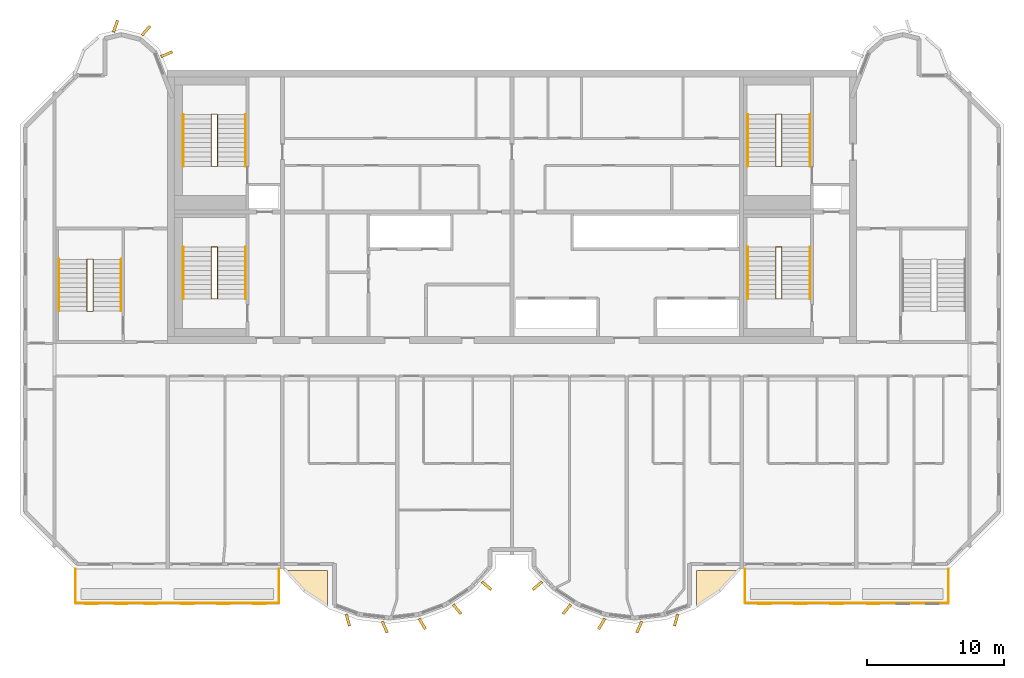
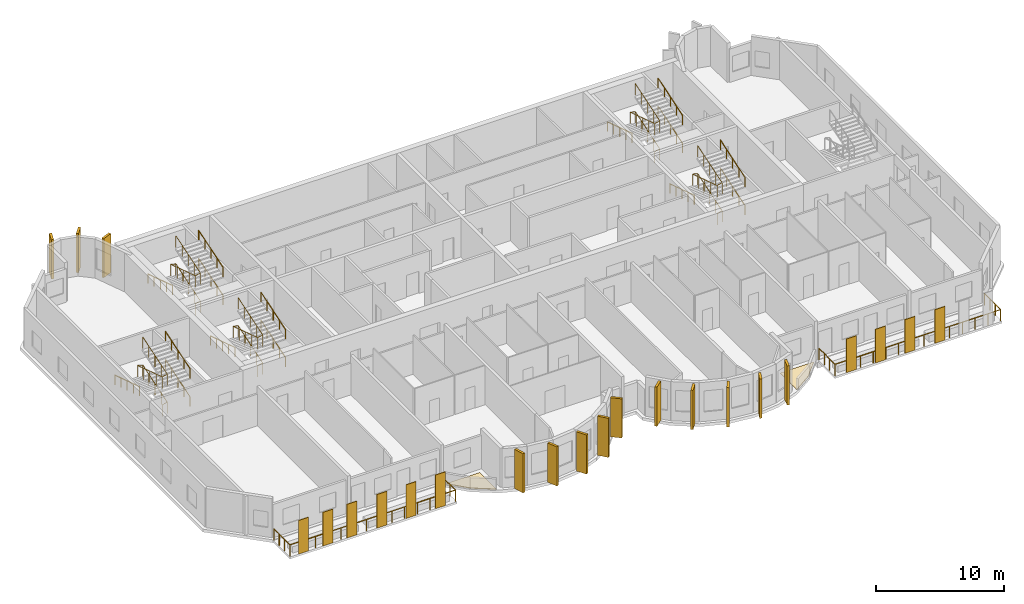
# One storey, part 10 of 12: 25 coverings, 22 railings.
"""IFC4 building model written with IfcOpenShell, lengths in metres."""

from ifc_helpers import new_model, si_unit, direction, frame, origin, origin_2d, place, context, subcontext, project, spatial, polyline, rectangle, circle, outline, extrude, source, transform, mapped, material, layer, layer_set, material_profile, profile_set, type_object, element, save


model = new_model("IFC4")

# Units and contexts
model_context = context("Model", 3, precision=1e-05, world=origin(), true_north=direction((0.0, 1.0)))
body_context = subcontext(model_context, "Body", "Model", "MODEL_VIEW")
ifc_project = project(units=[si_unit("LENGTHUNIT", "METRE"), si_unit("AREAUNIT", "SQUARE_METRE"), si_unit("VOLUMEUNIT", "CUBIC_METRE"), si_unit("PLANEANGLEUNIT", "RADIAN"), si_unit("MASSUNIT", "GRAM", prefix="KILO")], contexts=[model_context])

# Site, building, storey
site_placement = place(None, origin())
site = spatial("IfcSite", under=ifc_project, at=site_placement, CompositionType="ELEMENT")
building_placement = place(site_placement, origin())
building = spatial("IfcBuilding", under=site, at=building_placement, Name="Vanashikhar Sky Hotel", CompositionType="ELEMENT")
storey_placement = place(building_placement, frame((0.0, 0.0, 313.699951171875)))
storey = spatial("IfcBuildingStorey", under=building, at=storey_placement, Name="L75", CompositionType="ELEMENT", Elevation=313.699951171875)

# Coverings
ifc_material_1 = material(Name="Terracotta", Category="masonry")
ifc_layer_1 = layer(ifc_material_1, 0.06005859375)
ifc_layer_set_1 = layer_set([ifc_layer_1], Name="Terracotta baguette screen")
covering_type_1 = type_object("IfcCoveringType", Name="Terracotta baguette screen", PredefinedType="CLADDING", material=ifc_layer_set_1)
shared_shape_1 = source(origin(), body_context, "Body", "SweptSolid", [
    extrude(rectangle(XDim=0.89990234375, YDim=0.06005859375, at=origin_2d()), origin(), (0.0, 0.0, 1.0), 3.199951171875),
])
for number, where, z_axis, x_axis, name in (
    (1, (19.63330078125, 2.929931640625, -0.0498046875), (0.0, 0.0, 1.0), (1.0, 0.0, 0.0), "Terracotta screen"),
    (2, (21.800048828125, 2.929931640625, -0.0498046875), (0.0, 0.0, 1.0), (1.0, 0.0, 0.0), "Terracotta screen"),
    (3, (23.966796875, 2.929931640625, -0.0498046875), (0.0, 0.0, 1.0), (1.0, 0.0, 0.0), "Terracotta screen"),
    (4, (26.666748046875, 2.929931640625, -0.0498046875), (0.0, 0.0, 1.0), (1.0, 0.0, 0.0), "Terracotta screen"),
    (5, (29.300048828125, 2.929931640625, -0.0498046875), (0.0, 0.0, 1.0), (1.0, 0.0, 0.0), "Terracotta screen"),
    (6, (31.933349609375, 2.929931640625, -0.0498046875), (0.0, 0.0, 1.0), (1.0, 0.0, 0.0), "Terracotta screen"),
    (7, (68.86669921875, 2.929931640625, -0.0498046875), (0.0, 0.0, 1.0), (1.0, 0.0, 0.0), "Terracotta screen"),
    (8, (71.5, 2.929931640625, -0.0498046875), (0.0, 0.0, 1.0), (1.0, 0.0, 0.0), "Terracotta screen"),
    (9, (74.13330078125, 2.929931640625, -0.0498046875), (0.0, 0.0, 1.0), (1.0, 0.0, 0.0), "Terracotta screen"),
    (10, (76.833251953125, 2.929931640625, -0.0498046875), (0.0, 0.0, 1.0), (1.0, 0.0, 0.0), "Terracotta screen"),
):
    element("IfcCovering", number, at=place(storey_placement, frame(where, z_axis=z_axis, x_axis=x_axis)), inside=storey, type_object=covering_type_1, Name=name, PredefinedType="CLADDING", context=body_context, shape_type="MappedRepresentation", body=[
        mapped(shared_shape_1, transform((0.0, 0.0, 0.0), scale=1.0)),
    ])

# Railings
ifc_material_2 = material(Name="Stainless steel 316", Category="steel")
railing_type_1 = type_object("IfcRailingType", Name="Balcony guard 1100", PredefinedType="GUARDRAIL", material=ifc_material_2)
shared_shape_2 = source(origin(), body_context, "Body", "SweptSolid", [
    extrude(circle(Radius=0.02392578125, at=origin_2d()), frame((0.0, 0.0, 1.076171875), z_axis=(0.0, -1.0, 0.0), x_axis=(1.0, 0.0, 0.0)), (0.0, 0.0, 1.0), 2.5),
    extrude(circle(Radius=0.02392578125, at=origin_2d()), frame((0.0, -2.5, 1.076171875), z_axis=(1.0, 0.0, 0.0), x_axis=(0.0, 1.0, 0.0)), (0.0, 0.0, 1.0), 14.880126953125),
    extrude(circle(Radius=0.02392578125, at=origin_2d()), frame((14.880126953125, -2.5, 1.076171875), z_axis=(0.0, 1.0, 0.0), x_axis=(-1.0, 0.0, 0.0)), (0.0, 0.0, 1.0), 2.5),
    extrude(circle(Radius=0.02099609375, at=origin_2d()), origin(), (0.0, 0.0, 1.0), 1.052001953125),
    extrude(circle(Radius=0.02099609375, at=origin_2d()), frame((0.0, -0.833251953125, 0.0)), (0.0, 0.0, 1.0), 1.052001953125),
    extrude(circle(Radius=0.02099609375, at=origin_2d()), frame((0.0, -1.666748046875, 0.0)), (0.0, 0.0, 1.0), 1.052001953125),
    extrude(circle(Radius=0.02099609375, at=origin_2d()), frame((0.0, -2.5, 0.0)), (0.0, 0.0, 1.0), 1.052001953125),
    extrude(circle(Radius=0.02099609375, at=origin_2d()), frame((1.14453125, -2.5, 0.0)), (0.0, 0.0, 1.0), 1.052001953125),
    extrude(circle(Radius=0.02099609375, at=origin_2d()), frame((2.289306640625, -2.5, 0.0)), (0.0, 0.0, 1.0), 1.052001953125),
    extrude(circle(Radius=0.02099609375, at=origin_2d()), frame((3.433837890625, -2.5, 0.0)), (0.0, 0.0, 1.0), 1.052001953125),
    extrude(circle(Radius=0.02099609375, at=origin_2d()), frame((4.57861328125, -2.5, 0.0)), (0.0, 0.0, 1.0), 1.052001953125),
    extrude(circle(Radius=0.02099609375, at=origin_2d()), frame((5.72314453125, -2.5, 0.0)), (0.0, 0.0, 1.0), 1.052001953125),
    extrude(circle(Radius=0.02099609375, at=origin_2d()), frame((6.86767578125, -2.5, 0.0)), (0.0, 0.0, 1.0), 1.052001953125),
    extrude(circle(Radius=0.02099609375, at=origin_2d()), frame((8.012451171875, -2.5, 0.0)), (0.0, 0.0, 1.0), 1.052001953125),
    extrude(circle(Radius=0.02099609375, at=origin_2d()), frame((9.156982421875, -2.5, 0.0)), (0.0, 0.0, 1.0), 1.052001953125),
    extrude(circle(Radius=0.02099609375, at=origin_2d()), frame((10.301513671875, -2.5, 0.0)), (0.0, 0.0, 1.0), 1.052001953125),
    extrude(circle(Radius=0.02099609375, at=origin_2d()), frame((11.4462890625, -2.5, 0.0)), (0.0, 0.0, 1.0), 1.052001953125),
    extrude(circle(Radius=0.02099609375, at=origin_2d()), frame((12.5908203125, -2.5, 0.0)), (0.0, 0.0, 1.0), 1.052001953125),
    extrude(circle(Radius=0.02099609375, at=origin_2d()), frame((13.735595703125, -2.5, 0.0)), (0.0, 0.0, 1.0), 1.052001953125),
    extrude(circle(Radius=0.02099609375, at=origin_2d()), frame((14.880126953125, -2.5, 0.0)), (0.0, 0.0, 1.0), 1.052001953125),
    extrude(circle(Radius=0.02099609375, at=origin_2d()), frame((14.880126953125, -1.666748046875, 0.0)), (0.0, 0.0, 1.0), 1.052001953125),
    extrude(circle(Radius=0.02099609375, at=origin_2d()), frame((14.880126953125, -0.833251953125, 0.0)), (0.0, 0.0, 1.0), 1.052001953125),
    extrude(circle(Radius=0.02099609375, at=origin_2d()), frame((14.880126953125, 0.0, 0.0)), (0.0, 0.0, 1.0), 1.052001953125),
])
for number, where, name in (
    (11, (18.4599609375, 5.5, -0.050048828125), "Balcony guard"),
    (12, (67.4599609375, 5.5, -0.050048828125), "Balcony guard"),
):
    element("IfcRailing", number, at=place(storey_placement, frame(where)), inside=storey, type_object=railing_type_1, Name=name, PredefinedType="GUARDRAIL", context=body_context, shape_type="MappedRepresentation", body=[
        mapped(shared_shape_2, transform((0.0, 0.0, 0.0), scale=1.0)),
    ])

# Coverings
ifc_material_3 = material(Name="Concrete M60 dark", Category="concrete")
ifc_material_profile = material_profile(ifc_material_3, rectangle(XDim=0.89990234375, YDim=0.199951171875, at=origin_2d()))
ifc_profile_set = profile_set([ifc_material_profile], Name="Crown fin 900 x 200")
covering_type_2 = type_object("IfcCoveringType", Name="Crown fin 900 x 200", PredefinedType="CLADDING", material=ifc_profile_set)
shared_shape_3 = source(origin(), body_context, "Body", "SweptSolid", [
    extrude(rectangle(XDim=0.89990234375, YDim=0.199951171875, at=origin_2d()), origin(), (0.0, 0.0, 1.0), 3.719970703125),
])
for number, where, z_axis, x_axis, name in (
    (13, (38.390380859375, 1.74755859375, 0.0), (0.0, 0.0, 1.0), (0.275603801286, -0.961271316911, 0.0), "Fin F1-1"),
    (14, (41.089599609375, 1.2333984375, 0.0), (0.0, 0.0, 1.0), (0.40186786849, -0.915697666414, 0.0), "Fin F1-2"),
    (15, (43.836181640625, 1.46923828125, 0.0), (0.0, 0.0, 1.0), (0.520696754146, -0.853741699943, 0.0), "Fin F1-3"),
    (16, (46.3828125, 2.541015625, 0.0), (0.0, 0.0, 1.0), (0.636737889677, -0.771080319973, 0.0), "Fin F1-4"),
    (17, (48.544189453125, 4.265625, 0.0), (0.0, 0.0, 1.0), (0.755247494577, -0.655439716477, 0.0), "Fin F1-5"),
    (18, (52.255615234375, 4.265625, 0.0), (0.0, 0.0, 1.0), (-0.755247494577, -0.655439716477, 0.0), "Fin F2-1"),
    (19, (54.4169921875, 2.5419921875, 0.0), (0.0, 0.0, 1.0), (-0.636805176704, -0.771024751174, 0.0), "Fin F2-2"),
    (20, (56.962890625, 1.46923828125, 0.0), (0.0, 0.0, 1.0), (-0.52071165467, -0.853732611941, 0.0), "Fin F2-3"),
    (21, (59.710205078125, 1.2333984375, 0.0), (0.0, 0.0, 1.0), (-0.401947776656, -0.91566259334, 0.0), "Fin F2-4"),
    (22, (62.409423828125, 1.74755859375, 0.0), (0.0, 0.0, 1.0), (-0.275603801286, -0.961271316911, 0.0), "Fin F2-5"),
    (23, (21.389404296875, 45.199462890625, 0.0), (0.0, 0.0, 1.0), (0.338425893748, 0.940993046967, 0.0), "Fin R1-1"),
    (24, (23.6171875, 44.87451171875, 0.0), (0.0, 0.0, 1.0), (0.655083741717, 0.755556279398, 0.0), "Fin R1-2"),
    (25, (25.1328125, 43.1533203125, 0.0), (0.0, 0.0, 1.0), (0.92220097167, 0.386710961637, 0.0), "Fin R1-3"),
):
    element("IfcCovering", number, at=place(storey_placement, frame(where, z_axis=z_axis, x_axis=x_axis)), inside=storey, type_object=covering_type_2, Name=name, PredefinedType="CLADDING", context=body_context, shape_type="MappedRepresentation", body=[
        mapped(shared_shape_3, transform((0.0, 0.0, 0.0), scale=1.0)),
    ])
ifc_material_4 = material(Name="Terracotta roofing tile", Category="masonry")
ifc_layer_2 = layer(ifc_material_4, 0.06005859375)
ifc_layer_set_2 = layer_set([ifc_layer_2], Name="Roof membrane and tile 60")
covering_type_3 = type_object("IfcCoveringType", Name="Roof membrane and tile 60", PredefinedType="ROOFING", material=ifc_layer_set_2)
shared_shape_4 = source(origin(), body_context, "Body", "SweptSolid", [
    extrude(outline(polyline([(36.89501953125, 2.787353515625), (35.212890625, 3.919677734375), (33.877685546875, 5.3779296875), (36.89501953125, 5.3779296875), (36.89501953125, 2.787353515625)])), origin(), (0.0, 0.0, 1.0), 0.06005859375),
])
covering_1_placement = place(storey_placement, frame((0.0, 0.0, -0.050048828125)))
element("IfcCovering", 26, at=covering_1_placement, inside=storey, type_object=covering_type_3, Name="Roof covering", PredefinedType="ROOFING", context=body_context, shape_type="MappedRepresentation", body=[
    mapped(shared_shape_4, transform((0.0, 0.0, 0.0), scale=1.0)),
])
shared_shape_5 = source(origin(), body_context, "Body", "SweptSolid", [
    extrude(outline(polyline([(66.92236328125, 5.3779296875), (65.587158203125, 3.919677734375), (63.905029296875, 2.787353515625), (63.905029296875, 5.3779296875), (66.92236328125, 5.3779296875)])), origin(), (0.0, 0.0, 1.0), 0.06005859375),
])
covering_2_placement = place(storey_placement, frame((0.0, 0.0, -0.050048828125)))
element("IfcCovering", 27, at=covering_2_placement, inside=storey, type_object=covering_type_3, Name="Roof covering", PredefinedType="ROOFING", context=body_context, shape_type="MappedRepresentation", body=[
    mapped(shared_shape_5, transform((0.0, 0.0, 0.0), scale=1.0)),
])

# Railings
ifc_material_5 = material(Name="Steel S355", Category="steel")
railing_type_2 = type_object("IfcRailingType", Name="Stair handrail 900", PredefinedType="HANDRAIL", material=ifc_material_5)
shared_shape_6 = source(origin(), body_context, "Body", "SweptSolid", [
    extrude(circle(Radius=0.02392578125, at=origin_2d()), frame((0.0, 0.0, 0.8759765625), z_axis=(0.0, 0.95197572919, 0.306173498254), x_axis=(-1.0, 0.0, 0.0)), (0.0, 0.0, 1.0), 3.99169921875),
    extrude(circle(Radius=0.02099609375, at=origin_2d()), origin(), (0.0, 0.0, 1.0), 0.851806640625),
    extrude(circle(Radius=0.02099609375, at=origin_2d()), frame((0.0, 0.949951171875, 0.3056640625)), (0.0, 0.0, 1.0), 0.851806640625),
    extrude(circle(Radius=0.02099609375, at=origin_2d()), frame((0.0, 1.89990234375, 0.611083984375)), (0.0, 0.0, 1.0), 0.851806640625),
    extrude(circle(Radius=0.02099609375, at=origin_2d()), frame((0.0, 2.85009765625, 0.91650390625)), (0.0, 0.0, 1.0), 0.851806640625),
    extrude(circle(Radius=0.02099609375, at=origin_2d()), frame((0.0, 3.800048828125, 1.22216796875)), (0.0, 0.0, 1.0), 0.851806640625),
])
for number, where, name in (
    (28, (30.89990234375, 25.25, 2.77783203125), "Exit stair 1 handrail"),
    (29, (72.199951171875, 25.25, 2.77783203125), "Exit stair 2 handrail"),
    (30, (30.89990234375, 34.949951171875, 2.77783203125), "Exit stair 5 handrail"),
    (31, (72.199951171875, 34.949951171875, 2.77783203125), "Exit stair 6 handrail"),
):
    element("IfcRailing", number, at=place(storey_placement, frame(where)), inside=storey, type_object=railing_type_2, Name=name, PredefinedType="HANDRAIL", context=body_context, shape_type="MappedRepresentation", body=[
        mapped(shared_shape_6, transform((0.0, 0.0, 0.0), scale=1.0)),
    ])
shared_shape_7 = source(origin(), body_context, "Body", "SweptSolid", [
    extrude(circle(Radius=0.02392578125, at=origin_2d()), frame((0.0, 0.0, 0.8759765625), z_axis=(0.0, -0.95197572919, 0.306173498254), x_axis=(1.0, 0.0, 0.0)), (0.0, 0.0, 1.0), 3.99169921875),
    extrude(circle(Radius=0.02099609375, at=origin_2d()), origin(), (0.0, 0.0, 1.0), 0.851806640625),
    extrude(circle(Radius=0.02099609375, at=origin_2d()), frame((0.0, -0.949951171875, 0.3056640625)), (0.0, 0.0, 1.0), 0.851806640625),
    extrude(circle(Radius=0.02099609375, at=origin_2d()), frame((0.0, -1.89990234375, 0.611083984375)), (0.0, 0.0, 1.0), 0.851806640625),
    extrude(circle(Radius=0.02099609375, at=origin_2d()), frame((0.0, -2.85009765625, 0.91650390625)), (0.0, 0.0, 1.0), 0.851806640625),
    extrude(circle(Radius=0.02099609375, at=origin_2d()), frame((0.0, -3.800048828125, 1.22216796875)), (0.0, 0.0, 1.0), 0.851806640625),
])
for number, where, name in (
    (32, (26.35009765625, 29.050048828125, 1.444580078125), "Exit stair 1 handrail"),
    (33, (67.64990234375, 29.050048828125, 1.444580078125), "Exit stair 2 handrail"),
    (34, (26.35009765625, 38.75, 1.444580078125), "Exit stair 5 handrail"),
    (35, (67.64990234375, 38.75, 1.444580078125), "Exit stair 6 handrail"),
):
    element("IfcRailing", number, at=place(storey_placement, frame(where)), inside=storey, type_object=railing_type_2, Name=name, PredefinedType="HANDRAIL", context=body_context, shape_type="MappedRepresentation", body=[
        mapped(shared_shape_7, transform((0.0, 0.0, 0.0), scale=1.0)),
    ])
railing_type_3 = type_object("IfcRailingType", Name="Stair guard 1100", PredefinedType="GUARDRAIL", material=ifc_material_5)
shared_shape_8 = source(origin(), body_context, "Body", "SweptSolid", [
    extrude(circle(Radius=0.02392578125, at=origin_2d()), frame((0.0, 0.0, 1.076171875), z_axis=(0.970881249867, 0.0, 0.239561262847), x_axis=(0.0, 1.0, 0.0)), (0.0, 0.0, 1.0), 0.463623046875),
    extrude(circle(Radius=0.02392578125, at=origin_2d()), frame((0.4501953125, 0.0, 1.18701171875), z_axis=(0.0, 0.95195790124, 0.306228924607), x_axis=(-1.0, 0.0, 0.0)), (0.0, 0.0, 1.0), 3.991943359375),
    extrude(circle(Radius=0.02392578125, at=origin_2d()), frame((0.4501953125, 3.800048828125, 2.40966796875), z_axis=(-0.970881249867, 0.0, 0.239561262847), x_axis=(0.0, -1.0, 0.0)), (0.0, 0.0, 1.0), 0.463623046875),
    extrude(circle(Radius=0.02392578125, at=origin_2d()), frame((0.0, 3.800048828125, 2.5205078125), z_axis=(0.0, -0.95197572919, 0.306173498254), x_axis=(1.0, 0.0, 0.0)), (0.0, 0.0, 1.0), 3.99169921875),
    extrude(circle(Radius=0.02392578125, at=origin_2d()), frame((0.0, 0.0, 3.74267578125), z_axis=(0.970881249867, 0.0, 0.239561262847), x_axis=(0.0, 1.0, 0.0)), (0.0, 0.0, 1.0), 0.463623046875),
    extrude(circle(Radius=0.02392578125, at=origin_2d()), frame((0.4501953125, 0.0, 3.85400390625), z_axis=(0.0, 0.95197572919, 0.306173498254), x_axis=(-1.0, 0.0, 0.0)), (0.0, 0.0, 1.0), 3.99169921875),
    extrude(circle(Radius=0.02099609375, at=origin_2d()), origin(), (0.0, 0.0, 1.0), 1.052001953125),
    extrude(circle(Radius=0.02099609375, at=origin_2d()), frame((0.4501953125, 0.0, 0.111083984375)), (0.0, 0.0, 1.0), 1.052001953125),
    extrude(circle(Radius=0.02099609375, at=origin_2d()), frame((0.4501953125, 0.949951171875, 0.416748046875)), (0.0, 0.0, 1.0), 1.052001953125),
    extrude(circle(Radius=0.02099609375, at=origin_2d()), frame((0.4501953125, 1.89990234375, 0.72216796875)), (0.0, 0.0, 1.0), 1.052001953125),
    extrude(circle(Radius=0.02099609375, at=origin_2d()), frame((0.4501953125, 2.85009765625, 1.02783203125)), (0.0, 0.0, 1.0), 1.052001953125),
    extrude(circle(Radius=0.02099609375, at=origin_2d()), frame((0.4501953125, 3.800048828125, 1.33349609375)), (0.0, 0.0, 1.0), 1.052001953125),
    extrude(circle(Radius=0.02099609375, at=origin_2d()), frame((0.0, 3.800048828125, 1.444580078125)), (0.0, 0.0, 1.0), 1.052001953125),
    extrude(circle(Radius=0.02099609375, at=origin_2d()), frame((0.0, 2.85009765625, 1.75)), (0.0, 0.0, 1.0), 1.052001953125),
    extrude(circle(Radius=0.02099609375, at=origin_2d()), frame((0.0, 1.89990234375, 2.0556640625)), (0.0, 0.0, 1.0), 1.052001953125),
    extrude(circle(Radius=0.02099609375, at=origin_2d()), frame((0.0, 0.949951171875, 2.361328125)), (0.0, 0.0, 1.0), 1.052001953125),
    extrude(circle(Radius=0.02099609375, at=origin_2d()), frame((0.0, 0.0, 2.666748046875)), (0.0, 0.0, 1.0), 1.052001953125),
    extrude(circle(Radius=0.02099609375, at=origin_2d()), frame((0.4501953125, 0.0, 2.77783203125)), (0.0, 0.0, 1.0), 1.052001953125),
    extrude(circle(Radius=0.02099609375, at=origin_2d()), frame((0.4501953125, 0.949951171875, 3.08349609375)), (0.0, 0.0, 1.0), 1.052001953125),
    extrude(circle(Radius=0.02099609375, at=origin_2d()), frame((0.4501953125, 1.89990234375, 3.388916015625)), (0.0, 0.0, 1.0), 1.052001953125),
    extrude(circle(Radius=0.02099609375, at=origin_2d()), frame((0.4501953125, 2.85009765625, 3.6943359375)), (0.0, 0.0, 1.0), 1.052001953125),
    extrude(circle(Radius=0.02099609375, at=origin_2d()), frame((0.4501953125, 3.800048828125, 4.0)), (0.0, 0.0, 1.0), 1.052001953125),
])
for number, where, name in (
    (36, (28.39990234375, 25.25, 0.0), "Exit stair 1 guard"),
    (37, (28.39990234375, 34.949951171875, 0.0), "Exit stair 5 guard"),
):
    element("IfcRailing", number, at=place(storey_placement, frame(where)), inside=storey, type_object=railing_type_3, Name=name, PredefinedType="GUARDRAIL", context=body_context, shape_type="MappedRepresentation", body=[
        mapped(shared_shape_8, transform((0.0, 0.0, 0.0), scale=1.0)),
    ])
shared_shape_9 = source(origin(), body_context, "Body", "SweptSolid", [
    extrude(circle(Radius=0.02392578125, at=origin_2d()), frame((0.0, 0.0, 0.8759765625), z_axis=(0.0, 0.95195790124, 0.306228924607), x_axis=(-1.0, 0.0, 0.0)), (0.0, 0.0, 1.0), 3.991943359375),
    extrude(circle(Radius=0.02099609375, at=origin_2d()), origin(), (0.0, 0.0, 1.0), 0.851806640625),
    extrude(circle(Radius=0.02099609375, at=origin_2d()), frame((0.0, 0.949951171875, 0.3056640625)), (0.0, 0.0, 1.0), 0.851806640625),
    extrude(circle(Radius=0.02099609375, at=origin_2d()), frame((0.0, 1.89990234375, 0.611328125)), (0.0, 0.0, 1.0), 0.851806640625),
    extrude(circle(Radius=0.02099609375, at=origin_2d()), frame((0.0, 2.85009765625, 0.916748046875)), (0.0, 0.0, 1.0), 0.851806640625),
    extrude(circle(Radius=0.02099609375, at=origin_2d()), frame((0.0, 3.800048828125, 1.222412109375)), (0.0, 0.0, 1.0), 0.851806640625),
])
for number, where, name in (
    (38, (30.89990234375, 25.25, 0.111083984375), "Exit stair 1 handrail"),
    (39, (72.199951171875, 25.25, 0.111083984375), "Exit stair 2 handrail"),
    (40, (30.89990234375, 34.949951171875, 0.111083984375), "Exit stair 5 handrail"),
    (41, (72.199951171875, 34.949951171875, 0.111083984375), "Exit stair 6 handrail"),
):
    element("IfcRailing", number, at=place(storey_placement, frame(where)), inside=storey, type_object=railing_type_2, Name=name, PredefinedType="HANDRAIL", context=body_context, shape_type="MappedRepresentation", body=[
        mapped(shared_shape_9, transform((0.0, 0.0, 0.0), scale=1.0)),
    ])
shared_shape_10 = source(origin(), body_context, "Body", "SweptSolid", [
    extrude(circle(Radius=0.02392578125, at=origin_2d()), frame((0.0, 0.0, 1.076171875), z_axis=(0.970851010584, 0.0, 0.239683781777), x_axis=(0.0, 1.0, 0.0)), (0.0, 0.0, 1.0), 0.46337890625),
    extrude(circle(Radius=0.02392578125, at=origin_2d()), frame((0.449951171875, 0.0, 1.18701171875), z_axis=(0.0, 0.95195790124, 0.306228924607), x_axis=(-1.0, 0.0, 0.0)), (0.0, 0.0, 1.0), 3.991943359375),
    extrude(circle(Radius=0.02392578125, at=origin_2d()), frame((0.449951171875, 3.800048828125, 2.40966796875), z_axis=(-0.970851010584, 0.0, 0.239683781777), x_axis=(0.0, -1.0, 0.0)), (0.0, 0.0, 1.0), 0.46337890625),
    extrude(circle(Radius=0.02392578125, at=origin_2d()), frame((0.0, 3.800048828125, 2.5205078125), z_axis=(0.0, -0.95197572919, 0.306173498254), x_axis=(1.0, 0.0, 0.0)), (0.0, 0.0, 1.0), 3.99169921875),
    extrude(circle(Radius=0.02392578125, at=origin_2d()), frame((0.0, 0.0, 3.74267578125), z_axis=(0.970851010584, 0.0, 0.239683781777), x_axis=(0.0, 1.0, 0.0)), (0.0, 0.0, 1.0), 0.46337890625),
    extrude(circle(Radius=0.02392578125, at=origin_2d()), frame((0.449951171875, 0.0, 3.85400390625), z_axis=(0.0, 0.95197572919, 0.306173498254), x_axis=(-1.0, 0.0, 0.0)), (0.0, 0.0, 1.0), 3.99169921875),
    extrude(circle(Radius=0.02099609375, at=origin_2d()), origin(), (0.0, 0.0, 1.0), 1.052001953125),
    extrude(circle(Radius=0.02099609375, at=origin_2d()), frame((0.449951171875, 0.0, 0.111083984375)), (0.0, 0.0, 1.0), 1.052001953125),
    extrude(circle(Radius=0.02099609375, at=origin_2d()), frame((0.449951171875, 0.949951171875, 0.416748046875)), (0.0, 0.0, 1.0), 1.052001953125),
    extrude(circle(Radius=0.02099609375, at=origin_2d()), frame((0.449951171875, 1.89990234375, 0.72216796875)), (0.0, 0.0, 1.0), 1.052001953125),
    extrude(circle(Radius=0.02099609375, at=origin_2d()), frame((0.449951171875, 2.85009765625, 1.02783203125)), (0.0, 0.0, 1.0), 1.052001953125),
    extrude(circle(Radius=0.02099609375, at=origin_2d()), frame((0.449951171875, 3.800048828125, 1.33349609375)), (0.0, 0.0, 1.0), 1.052001953125),
    extrude(circle(Radius=0.02099609375, at=origin_2d()), frame((0.0, 3.800048828125, 1.444580078125)), (0.0, 0.0, 1.0), 1.052001953125),
    extrude(circle(Radius=0.02099609375, at=origin_2d()), frame((0.0, 2.85009765625, 1.75)), (0.0, 0.0, 1.0), 1.052001953125),
    extrude(circle(Radius=0.02099609375, at=origin_2d()), frame((0.0, 1.89990234375, 2.0556640625)), (0.0, 0.0, 1.0), 1.052001953125),
    extrude(circle(Radius=0.02099609375, at=origin_2d()), frame((0.0, 0.949951171875, 2.361328125)), (0.0, 0.0, 1.0), 1.052001953125),
    extrude(circle(Radius=0.02099609375, at=origin_2d()), frame((0.0, 0.0, 2.666748046875)), (0.0, 0.0, 1.0), 1.052001953125),
    extrude(circle(Radius=0.02099609375, at=origin_2d()), frame((0.449951171875, 0.0, 2.77783203125)), (0.0, 0.0, 1.0), 1.052001953125),
    extrude(circle(Radius=0.02099609375, at=origin_2d()), frame((0.449951171875, 0.949951171875, 3.08349609375)), (0.0, 0.0, 1.0), 1.052001953125),
    extrude(circle(Radius=0.02099609375, at=origin_2d()), frame((0.449951171875, 1.89990234375, 3.388916015625)), (0.0, 0.0, 1.0), 1.052001953125),
    extrude(circle(Radius=0.02099609375, at=origin_2d()), frame((0.449951171875, 2.85009765625, 3.6943359375)), (0.0, 0.0, 1.0), 1.052001953125),
    extrude(circle(Radius=0.02099609375, at=origin_2d()), frame((0.449951171875, 3.800048828125, 4.0)), (0.0, 0.0, 1.0), 1.052001953125),
])
for number, where, name in (
    (42, (69.699951171875, 25.25, 0.0), "Exit stair 2 guard"),
    (43, (69.699951171875, 34.949951171875, 0.0), "Exit stair 6 guard"),
):
    element("IfcRailing", number, at=place(storey_placement, frame(where)), inside=storey, type_object=railing_type_3, Name=name, PredefinedType="GUARDRAIL", context=body_context, shape_type="MappedRepresentation", body=[
        mapped(shared_shape_10, transform((0.0, 0.0, 0.0), scale=1.0)),
    ])
shared_shape_11 = source(origin(), body_context, "Body", "SweptSolid", [
    extrude(circle(Radius=0.02392578125, at=origin_2d()), frame((0.0, 0.0, 0.8759765625), z_axis=(0.0, 0.951969995293, 0.306191325908), x_axis=(-1.0, 0.0, 0.0)), (0.0, 0.0, 1.0), 3.991455078125),
    extrude(circle(Radius=0.02099609375, at=origin_2d()), origin(), (0.0, 0.0, 1.0), 0.851806640625),
    extrude(circle(Radius=0.02099609375, at=origin_2d()), frame((0.0, 0.949951171875, 0.3056640625)), (0.0, 0.0, 1.0), 0.851806640625),
    extrude(circle(Radius=0.02099609375, at=origin_2d()), frame((0.0, 1.89990234375, 0.611083984375)), (0.0, 0.0, 1.0), 0.851806640625),
    extrude(circle(Radius=0.02099609375, at=origin_2d()), frame((0.0, 2.849853515625, 0.91650390625)), (0.0, 0.0, 1.0), 0.851806640625),
    extrude(circle(Radius=0.02099609375, at=origin_2d()), frame((0.0, 3.7998046875, 1.22216796875)), (0.0, 0.0, 1.0), 0.851806640625),
])
railing_1_placement = place(storey_placement, frame((21.800048828125, 24.35009765625, 2.77783203125)))
element("IfcRailing", 44, at=railing_1_placement, inside=storey, type_object=railing_type_2, Name="Exit stair 3 handrail", PredefinedType="HANDRAIL", context=body_context, shape_type="MappedRepresentation", body=[
    mapped(shared_shape_11, transform((0.0, 0.0, 0.0), scale=1.0)),
])
shared_shape_12 = source(origin(), body_context, "Body", "SweptSolid", [
    extrude(circle(Radius=0.02392578125, at=origin_2d()), frame((0.0, 0.0, 0.8759765625), z_axis=(0.0, -0.951969995293, 0.306191325908), x_axis=(1.0, 0.0, 0.0)), (0.0, 0.0, 1.0), 3.991455078125),
    extrude(circle(Radius=0.02099609375, at=origin_2d()), origin(), (0.0, 0.0, 1.0), 0.851806640625),
    extrude(circle(Radius=0.02099609375, at=origin_2d()), frame((0.0, -0.949951171875, 0.3056640625)), (0.0, 0.0, 1.0), 0.851806640625),
    extrude(circle(Radius=0.02099609375, at=origin_2d()), frame((0.0, -1.89990234375, 0.611083984375)), (0.0, 0.0, 1.0), 0.851806640625),
    extrude(circle(Radius=0.02099609375, at=origin_2d()), frame((0.0, -2.849853515625, 0.91650390625)), (0.0, 0.0, 1.0), 0.851806640625),
    extrude(circle(Radius=0.02099609375, at=origin_2d()), frame((0.0, -3.7998046875, 1.22216796875)), (0.0, 0.0, 1.0), 0.851806640625),
])
railing_2_placement = place(storey_placement, frame((17.25, 28.14990234375, 1.444580078125)))
element("IfcRailing", 45, at=railing_2_placement, inside=storey, type_object=railing_type_2, Name="Exit stair 3 handrail", PredefinedType="HANDRAIL", context=body_context, shape_type="MappedRepresentation", body=[
    mapped(shared_shape_12, transform((0.0, 0.0, 0.0), scale=1.0)),
])
shared_shape_13 = source(origin(), body_context, "Body", "SweptSolid", [
    extrude(circle(Radius=0.02392578125, at=origin_2d()), frame((0.0, 0.0, 1.076171875), z_axis=(0.970851010584, 0.0, 0.239683781777), x_axis=(0.0, 1.0, 0.0)), (0.0, 0.0, 1.0), 0.46337890625),
    extrude(circle(Radius=0.02392578125, at=origin_2d()), frame((0.449951171875, 0.0, 1.18701171875), z_axis=(0.0, 0.951952165375, 0.306246754821), x_axis=(-1.0, 0.0, 0.0)), (0.0, 0.0, 1.0), 3.99169921875),
    extrude(circle(Radius=0.02392578125, at=origin_2d()), frame((0.449951171875, 3.7998046875, 2.40966796875), z_axis=(-0.970851010584, 0.0, 0.239683781777), x_axis=(0.0, -1.0, 0.0)), (0.0, 0.0, 1.0), 0.46337890625),
    extrude(circle(Radius=0.02392578125, at=origin_2d()), frame((0.0, 3.7998046875, 2.5205078125), z_axis=(0.0, -0.951969995293, 0.306191325908), x_axis=(1.0, 0.0, 0.0)), (0.0, 0.0, 1.0), 3.991455078125),
    extrude(circle(Radius=0.02392578125, at=origin_2d()), frame((0.0, 0.0, 3.74267578125), z_axis=(0.970851010584, 0.0, 0.239683781777), x_axis=(0.0, 1.0, 0.0)), (0.0, 0.0, 1.0), 0.46337890625),
    extrude(circle(Radius=0.02392578125, at=origin_2d()), frame((0.449951171875, 0.0, 3.85400390625), z_axis=(0.0, 0.951969995293, 0.306191325908), x_axis=(-1.0, 0.0, 0.0)), (0.0, 0.0, 1.0), 3.991455078125),
    extrude(circle(Radius=0.02099609375, at=origin_2d()), origin(), (0.0, 0.0, 1.0), 1.052001953125),
    extrude(circle(Radius=0.02099609375, at=origin_2d()), frame((0.449951171875, 0.0, 0.111083984375)), (0.0, 0.0, 1.0), 1.052001953125),
    extrude(circle(Radius=0.02099609375, at=origin_2d()), frame((0.449951171875, 0.949951171875, 0.416748046875)), (0.0, 0.0, 1.0), 1.052001953125),
    extrude(circle(Radius=0.02099609375, at=origin_2d()), frame((0.449951171875, 1.89990234375, 0.72216796875)), (0.0, 0.0, 1.0), 1.052001953125),
    extrude(circle(Radius=0.02099609375, at=origin_2d()), frame((0.449951171875, 2.849853515625, 1.02783203125)), (0.0, 0.0, 1.0), 1.052001953125),
    extrude(circle(Radius=0.02099609375, at=origin_2d()), frame((0.449951171875, 3.7998046875, 1.33349609375)), (0.0, 0.0, 1.0), 1.052001953125),
    extrude(circle(Radius=0.02099609375, at=origin_2d()), frame((0.0, 3.7998046875, 1.444580078125)), (0.0, 0.0, 1.0), 1.052001953125),
    extrude(circle(Radius=0.02099609375, at=origin_2d()), frame((0.0, 2.849853515625, 1.75)), (0.0, 0.0, 1.0), 1.052001953125),
    extrude(circle(Radius=0.02099609375, at=origin_2d()), frame((0.0, 1.89990234375, 2.0556640625)), (0.0, 0.0, 1.0), 1.052001953125),
    extrude(circle(Radius=0.02099609375, at=origin_2d()), frame((0.0, 0.949951171875, 2.361328125)), (0.0, 0.0, 1.0), 1.052001953125),
    extrude(circle(Radius=0.02099609375, at=origin_2d()), frame((0.0, 0.0, 2.666748046875)), (0.0, 0.0, 1.0), 1.052001953125),
    extrude(circle(Radius=0.02099609375, at=origin_2d()), frame((0.449951171875, 0.0, 2.77783203125)), (0.0, 0.0, 1.0), 1.052001953125),
    extrude(circle(Radius=0.02099609375, at=origin_2d()), frame((0.449951171875, 0.949951171875, 3.08349609375)), (0.0, 0.0, 1.0), 1.052001953125),
    extrude(circle(Radius=0.02099609375, at=origin_2d()), frame((0.449951171875, 1.89990234375, 3.388916015625)), (0.0, 0.0, 1.0), 1.052001953125),
    extrude(circle(Radius=0.02099609375, at=origin_2d()), frame((0.449951171875, 2.849853515625, 3.6943359375)), (0.0, 0.0, 1.0), 1.052001953125),
    extrude(circle(Radius=0.02099609375, at=origin_2d()), frame((0.449951171875, 3.7998046875, 4.0)), (0.0, 0.0, 1.0), 1.052001953125),
])
railing_3_placement = place(storey_placement, frame((19.300048828125, 24.35009765625, 0.0)))
element("IfcRailing", 46, at=railing_3_placement, inside=storey, type_object=railing_type_3, Name="Exit stair 3 guard", PredefinedType="GUARDRAIL", context=body_context, shape_type="MappedRepresentation", body=[
    mapped(shared_shape_13, transform((0.0, 0.0, 0.0), scale=1.0)),
])
shared_shape_14 = source(origin(), body_context, "Body", "SweptSolid", [
    extrude(circle(Radius=0.02392578125, at=origin_2d()), frame((0.0, 0.0, 0.8759765625), z_axis=(0.0, 0.951952165375, 0.306246754821), x_axis=(-1.0, 0.0, 0.0)), (0.0, 0.0, 1.0), 3.99169921875),
    extrude(circle(Radius=0.02099609375, at=origin_2d()), origin(), (0.0, 0.0, 1.0), 0.851806640625),
    extrude(circle(Radius=0.02099609375, at=origin_2d()), frame((0.0, 0.949951171875, 0.3056640625)), (0.0, 0.0, 1.0), 0.851806640625),
    extrude(circle(Radius=0.02099609375, at=origin_2d()), frame((0.0, 1.89990234375, 0.611328125)), (0.0, 0.0, 1.0), 0.851806640625),
    extrude(circle(Radius=0.02099609375, at=origin_2d()), frame((0.0, 2.849853515625, 0.916748046875)), (0.0, 0.0, 1.0), 0.851806640625),
    extrude(circle(Radius=0.02099609375, at=origin_2d()), frame((0.0, 3.7998046875, 1.222412109375)), (0.0, 0.0, 1.0), 0.851806640625),
])
railing_4_placement = place(storey_placement, frame((21.800048828125, 24.35009765625, 0.111083984375)))
element("IfcRailing", 47, at=railing_4_placement, inside=storey, type_object=railing_type_2, Name="Exit stair 3 handrail", PredefinedType="HANDRAIL", context=body_context, shape_type="MappedRepresentation", body=[
    mapped(shared_shape_14, transform((0.0, 0.0, 0.0), scale=1.0)),
])

save(model, "model.ifc")
